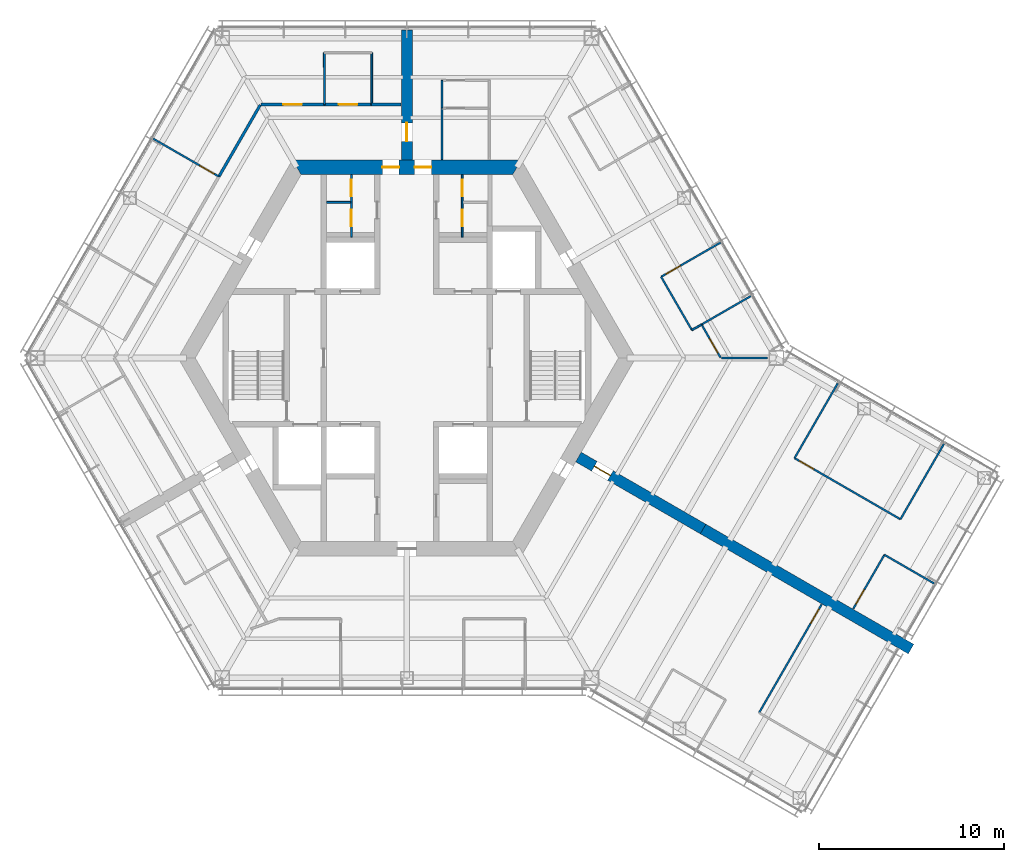
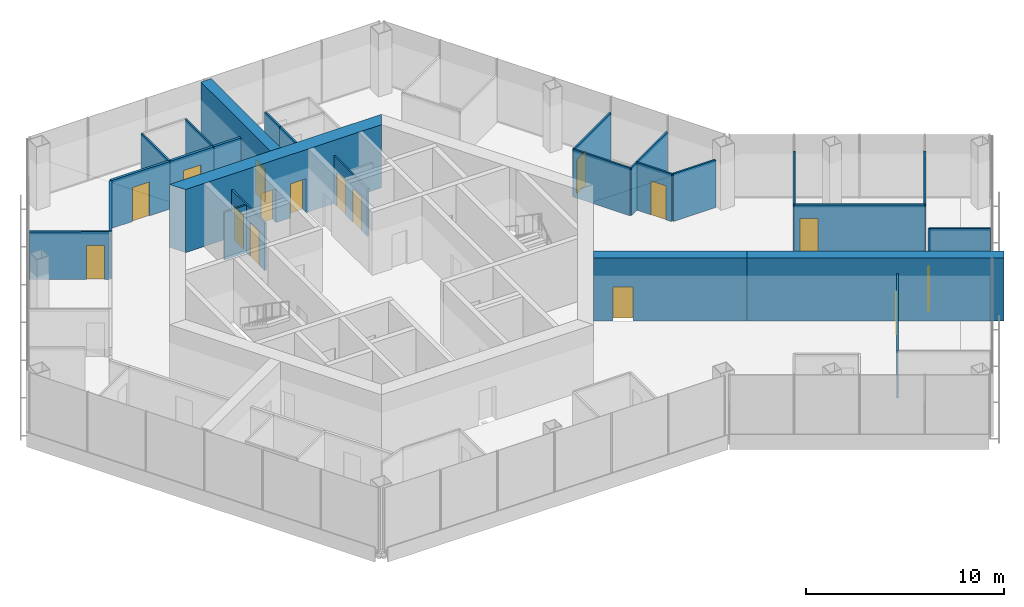
# One storey, part 12 of 16: 28 walls, 16 doors, 16 openings.
"""IFC4 building model written with IfcOpenShell, lengths in metres."""

import ifcopenshell
import ifcopenshell.guid

model = None  # the IFC model being written
_history = None  # IfcOwnerHistory: only IFC2X3 demands one
_inside = {}  # id of a spatial element -> (the spatial element, [elements in it])
_under = {}  # id of a project, library or spatial element -> (it, [spatial elements below it])
_declared = {}  # id of a project -> (the project, [libraries it declares])
_typed = {}  # id of a type object -> (the type object, [elements of that type])
_made_of = {}  # id of a material, layer set ... -> (it, [elements and type objects made of it])


def new_model(schema):
    """Start an empty IFC model of exactly this schema.

    Asked for "IFC4X3", IfcOpenShell would pick the latest addendum, in which some entities
    have other attributes; the version numbers below select the first issue.
    IFC2X3 requires an IfcOwnerHistory on every rooted entity: one is made here for all.
    """
    global model, _history
    if schema == "IFC4X3":
        model = ifcopenshell.file(schema_version=(4, 3, 0, 0))
    else:
        model = ifcopenshell.file(schema=schema)
    _inside.clear()
    _under.clear()
    _declared.clear()
    _typed.clear()
    _made_of.clear()
    _history = None
    if model.schema == "IFC2X3":
        org = make("IfcOrganization", Name="unknown")
        user = make(
            "IfcPersonAndOrganization",
            ThePerson=make("IfcPerson", FamilyName="unknown"),
            TheOrganization=org,
        )
        app = make(
            "IfcApplication",
            ApplicationDeveloper=org,
            Version="unknown",
            ApplicationFullName="unknown",
            ApplicationIdentifier="unknown",
        )
        _history = make(
            "IfcOwnerHistory",
            OwningUser=user,
            OwningApplication=app,
            ChangeAction="ADDED",
            CreationDate=0,
        )
    return model


def make(cls, **values):
    """One entity of the class cls with the attributes given. An attribute that is None is left unset."""
    return model.create_entity(
        cls, **{name: value for name, value in values.items() if value is not None}
    )


def rooted(cls, **values):
    """An entity with a GlobalId (a new one), such as an element, a storey or a relation."""
    return make(cls, GlobalId=ifcopenshell.guid.new(), OwnerHistory=_history, **values)


def si_unit(unit_type, name, prefix=None):
    """IfcSIUnit, for example si_unit("LENGTHUNIT", "METRE", prefix="MILLI")."""
    return make("IfcSIUnit", UnitType=unit_type, Prefix=prefix, Name=name)


def assignment(units):
    """IfcUnitAssignment: the units of a project."""
    return None if units is None else make("IfcUnitAssignment", Units=units)


def point(xyz):
    """IfcCartesianPoint."""
    return None if xyz is None else make("IfcCartesianPoint", Coordinates=xyz)


def direction(xyz):
    """IfcDirection."""
    return None if xyz is None else make("IfcDirection", DirectionRatios=xyz)


def frame(location, z_axis=None, x_axis=None):
    """IfcAxis2Placement3D, a coordinate frame: its origin and axes. An axis left out is left unset."""
    return make(
        "IfcAxis2Placement3D",
        Location=point(location),
        Axis=direction(z_axis),
        RefDirection=direction(x_axis),
    )


def frame_2d(location, x_axis=None):
    """IfcAxis2Placement2D, a coordinate frame in the plane: its origin and x axis."""
    return make(
        "IfcAxis2Placement2D", Location=point(location), RefDirection=direction(x_axis)
    )


def origin():
    """The frame at (0, 0, 0) with its axes left unset."""
    return frame((0.0, 0.0, 0.0))


def place(relative_to, where):
    """IfcLocalPlacement: puts the frame where relative to a parent placement (None: the world)."""
    return make(
        "IfcLocalPlacement", PlacementRelTo=relative_to, RelativePlacement=where
    )


def context(
    kind, dimensions, precision=None, world=None, true_north=None, identifier=None
):
    """IfcGeometricRepresentationContext, for example the 3D "Model" context."""
    return make(
        "IfcGeometricRepresentationContext",
        ContextIdentifier=identifier,
        ContextType=kind,
        CoordinateSpaceDimension=dimensions,
        Precision=precision,
        WorldCoordinateSystem=world,
        TrueNorth=true_north,
    )


def subcontext(parent, identifier, kind, view, scale=None):
    """IfcGeometricRepresentationSubContext, for example "Body" below "Model"."""
    return make(
        "IfcGeometricRepresentationSubContext",
        ContextIdentifier=identifier,
        ContextType=kind,
        ParentContext=parent,
        TargetScale=scale,
        TargetView=view,
    )


def project(units=None, contexts=None):
    """IfcProject with its units and contexts."""
    return rooted(
        "IfcProject",
        Name="project",
        RepresentationContexts=contexts,
        UnitsInContext=assignment(units),
    )


def spatial(cls, under=None, at=None, **own):
    """A site, building, storey or space (cls), placed at a placement, below another one or the project."""
    s = rooted(cls, ObjectPlacement=at, **own)
    if under is not None:
        _under.setdefault(under.id(), (under, []))[1].append(s)
    return s


def polyline(points):
    """IfcPolyline through the points."""
    return make("IfcPolyline", Points=[point(p) for p in points])


def profile(cls, at=None, kind="AREA", **sizes):
    """A parametric profile (cls). Its sizes go by their IFC names, for example OverallWidth=200.0."""
    return make(cls, ProfileType=kind, Position=at, **sizes)


def rectangle(**sizes):
    """IfcRectangleProfileDef."""
    return profile("IfcRectangleProfileDef", **sizes)


def outline(outer, holes=None, kind="AREA"):
    """IfcArbitraryClosedProfileDef: a profile drawn as a closed curve; with holes, ...WithVoids."""
    if holes is None:
        return make("IfcArbitraryClosedProfileDef", ProfileType=kind, OuterCurve=outer)
    return make(
        "IfcArbitraryProfileDefWithVoids",
        ProfileType=kind,
        OuterCurve=outer,
        InnerCurves=holes,
    )


def extrude(swept, where, along, depth):
    """IfcExtrudedAreaSolid: the profile swept, set in the frame where, extruded along a direction by depth."""
    return make(
        "IfcExtrudedAreaSolid",
        SweptArea=swept,
        Position=where,
        ExtrudedDirection=direction(along),
        Depth=depth,
    )


def shape(context_of_items, identifier, shape_type, items):
    """IfcShapeRepresentation: the items that make up one representation, for example the "Body"."""
    return make(
        "IfcShapeRepresentation",
        ContextOfItems=context_of_items,
        RepresentationIdentifier=identifier,
        RepresentationType=shape_type,
        Items=items,
    )


def material(Name=None, Category=None):
    """IfcMaterial."""
    return make("IfcMaterial", Name=Name, Category=Category)


def layer(
    of_material, thickness, ventilated=None, Name=None, Category=None, Priority=None
):
    """IfcMaterialLayer: one layer of a wall or slab, of a material (None: an air gap)."""
    return make(
        "IfcMaterialLayer",
        Material=of_material,
        LayerThickness=thickness,
        IsVentilated=ventilated,
        Name=Name,
        Category=Category,
        Priority=Priority,
    )


def layer_set(layers, Name=None):
    """IfcMaterialLayerSet."""
    return make("IfcMaterialLayerSet", MaterialLayers=layers, LayerSetName=Name)


def made_of(thing, what):
    """Note that an element or type object is made of a material, layer set ...; save() writes the relation."""
    if what is not None:
        _made_of.setdefault(what.id(), (what, []))[1].append(thing)
    return thing


def type_object(cls, material=None, **own):
    """A type object (cls), such as IfcWallType, which elements share."""
    return made_of(rooted(cls, **own), material)


def element(
    cls,
    number,
    at=None,
    inside=None,
    cuts=None,
    type_object=None,
    material=None,
    context=None,
    identifier="Body",
    shape_type=None,
    held_by="IfcProductDefinitionShape",
    body=None,
    shapes=None,
    **own,
):
    """One element of the class cls, such as IfcWall. Its Tag is "e" and its number.

    at: its placement. inside: the storey or other place that contains it. cuts: it is an
    opening in that element (IfcRelVoidsElement). A single representation is given by context,
    identifier, shape_type and body (its items); several are given by shapes. held_by: the class
    of the entity that holds the representations. save() writes the other relations.
    """
    e = rooted(cls, Tag="e%d" % number, ObjectPlacement=at, **own)
    if body is not None:
        shapes = [shape(context, identifier, shape_type, body)]
    if shapes is not None:
        e.Representation = make(held_by, Representations=shapes)
    if inside is not None:
        _inside.setdefault(inside.id(), (inside, []))[1].append(e)
    if cuts is not None:
        rooted(
            "IfcRelVoidsElement", RelatingBuildingElement=cuts, RelatedOpeningElement=e
        )
    if type_object is not None:
        _typed.setdefault(type_object.id(), (type_object, []))[1].append(e)
    return made_of(e, material)


def fill(opening, filler):
    """IfcRelFillsElement: the door or window that sits in an opening."""
    return rooted(
        "IfcRelFillsElement",
        RelatingOpeningElement=opening,
        RelatedBuildingElement=filler,
    )


def aggregate(whole, parts):
    """IfcRelAggregates: a whole, such as a stair, and the parts it consists of."""
    return rooted("IfcRelAggregates", RelatingObject=whole, RelatedObjects=parts)


def save(model, path):
    """Write the relations noted so far, then the file.

    IfcRelAggregates (storeys below a building ...), IfcRelContainedInSpatialStructure (elements
    in a storey), IfcRelDefinesByType, IfcRelAssociatesMaterial and IfcRelDeclares: one each for
    every whole, place, type object, material and project.
    """
    for whole, parts in _under.values():
        aggregate(whole, parts)
    for where, things in _inside.values():
        rooted(
            "IfcRelContainedInSpatialStructure",
            RelatedElements=things,
            RelatingStructure=where,
        )
    for kind, things in _typed.values():
        rooted("IfcRelDefinesByType", RelatedObjects=things, RelatingType=kind)
    for what, things in _made_of.values():
        rooted("IfcRelAssociatesMaterial", RelatedObjects=things, RelatingMaterial=what)
    for by, libraries in _declared.values():
        rooted("IfcRelDeclares", RelatingContext=by, RelatedDefinitions=libraries)
    model.write(path)


model = new_model("IFC4")

# Units and contexts
model_context = context("Model", 3, precision=1e-05, world=origin(), true_north=direction((0.0, 1.0)))
body_context = subcontext(model_context, "Body", "Model", "MODEL_VIEW")
ifc_project = project(units=[si_unit("LENGTHUNIT", "METRE"), si_unit("AREAUNIT", "SQUARE_METRE"), si_unit("VOLUMEUNIT", "CUBIC_METRE"), si_unit("PLANEANGLEUNIT", "RADIAN"), si_unit("MASSUNIT", "GRAM", prefix="KILO")], contexts=[model_context])

# Site, building, storey
site_placement = place(None, origin())
site = spatial("IfcSite", under=ifc_project, at=site_placement, CompositionType="ELEMENT")
building_placement = place(site_placement, origin())
building = spatial("IfcBuilding", under=site, at=building_placement, Name="Kasaneha Research Tower", CompositionType="ELEMENT")
storey_placement = place(building_placement, frame((0.0, 0.0, 247.89990234375)))
storey = spatial("IfcBuildingStorey", under=building, at=storey_placement, Name="L62", CompositionType="ELEMENT", Elevation=247.89990234375)

# Wall, openings, doors
ifc_material_1 = material(Name="Concrete Fc60", Category="concrete")
ifc_layer_1 = layer(ifc_material_1, 0.800048828125)
ifc_layer_set_1 = layer_set([ifc_layer_1], Name="Core wall 800 Fc60")
wall_type_1 = type_object("IfcWallType", Name="Core wall 800 Fc60", PredefinedType="SHEAR", material=ifc_layer_set_1)
wall_1_placement = place(storey_placement, frame((5.961181640625, 10.324951171875, 0.0), z_axis=(0.0, 0.0, 1.0), x_axis=(-1.0, 0.0, 0.0)))
wall_1 = element("IfcWall", 1, at=wall_1_placement, inside=storey, type_object=wall_type_1, Name="Core wall 090 L62", PredefinedType="SHEAR", context=body_context, shape_type="SweptSolid", body=[
    extrude(outline(polyline([(-0.23095703125, -0.39990234375), (4.63623046875, -0.39990234375), (5.5361328125, -0.39990234375), (6.38623046875, -0.39990234375), (7.2861328125, -0.39990234375), (12.1533203125, -0.39990234375), (11.69140625, 0.39990234375), (7.2861328125, 0.39990234375), (6.38623046875, 0.39990234375), (5.5361328125, 0.39990234375), (4.63623046875, 0.39990234375), (0.23095703125, 0.39990234375), (-0.23095703125, -0.39990234375)])), origin(), (0.0, 0.0, 1.0), 3.900146484375),
])
opening_1_placement = place(wall_1_placement, frame((6.38623046875, 0.0, 0.0)))
opening_1 = element("IfcOpeningElement", 2, at=opening_1_placement, cuts=wall_1, Name="Opening L62-D01", PredefinedType="OPENING", context=body_context, shape_type="SweptSolid", body=[
    extrude(rectangle(XDim=0.89990234375, YDim=2.10009765625, at=frame_2d((0.449951171875, 1.050048828125))), frame((0.0, 0.41015625, 0.0), z_axis=(0.0, -1.0, 0.0), x_axis=(1.0, 0.0, 0.0)), (0.0, 0.0, 1.0), 0.820068359375),
])
opening_2_placement = place(wall_1_placement, frame((4.63623046875, 0.0, 0.0)))
opening_2 = element("IfcOpeningElement", 3, at=opening_2_placement, cuts=wall_1, Name="Opening L62-D02", PredefinedType="OPENING", context=body_context, shape_type="SweptSolid", body=[
    extrude(rectangle(XDim=0.89990234375, YDim=2.10009765625, at=frame_2d((0.449951171875, 1.050048828125))), frame((0.0, 0.41015625, 0.0), z_axis=(0.0, -1.0, 0.0), x_axis=(1.0, 0.0, 0.0)), (0.0, 0.0, 1.0), 0.820068359375),
])
ifc_material_2 = material(Name="Steel", Category="steel")
door_type_1 = type_object("IfcDoorType", Name="Toilet door FD20 900x2100", OperationType="NOTDEFINED", PredefinedType="DOOR", material=ifc_material_2)
door_1_placement = place(opening_1_placement, origin())
door_1 = element("IfcDoor", 4, at=door_1_placement, inside=storey, type_object=door_type_1, Name="Core door north 1 L62-D01", OperationType="SINGLE_SWING_RIGHT", OverallHeight=2.10009765625, OverallWidth=0.89990234375, PredefinedType="DOOR", context=body_context, shape_type="SweptSolid", body=[
    extrude(rectangle(XDim=0.89990234375, YDim=2.10009765625, at=frame_2d((0.449951171875, 1.050048828125))), frame((0.0, 0.02490234375, 0.0), z_axis=(0.0, -1.0, 0.0), x_axis=(1.0, 0.0, 0.0)), (0.0, 0.0, 1.0), 0.050048828125),
])
fill(opening_1, door_1)
door_2_placement = place(opening_2_placement, origin())
door_2 = element("IfcDoor", 5, at=door_2_placement, inside=storey, type_object=door_type_1, Name="Core door north 2 L62-D02", OperationType="SINGLE_SWING_LEFT", OverallHeight=2.10009765625, OverallWidth=0.89990234375, PredefinedType="DOOR", context=body_context, shape_type="SweptSolid", body=[
    extrude(rectangle(XDim=0.89990234375, YDim=2.10009765625, at=frame_2d((0.449951171875, 1.050048828125))), frame((0.0, 0.02490234375, 0.0), z_axis=(0.0, -1.0, 0.0), x_axis=(1.0, 0.0, 0.0)), (0.0, 0.0, 1.0), 0.050048828125),
])
fill(opening_2, door_2)

ifc_material_3 = material(Name="Gypsum board on steel studs, one layer each side", Category="steel")
ifc_layer_2 = layer(ifc_material_3, 0.10009765625)
ifc_layer_set_2 = layer_set([ifc_layer_2], Name="Office partition 100")
wall_type_2 = type_object("IfcWallType", Name="Office partition 100", PredefinedType="PARTITIONING", material=ifc_layer_set_2)
wall_2_placement = place(storey_placement, frame((-3.0, 6.550048828125, 0.0), z_axis=(0.0, 0.0, 1.0), x_axis=(0.0, 1.0, 0.0)))
wall_2 = element("IfcWall", 6, at=wall_2_placement, inside=storey, type_object=wall_type_2, Name="Office partition TBM1 L62", PredefinedType="PARTITIONING", context=body_context, shape_type="SweptSolid", body=[
    extrude(rectangle(XDim=3.375, YDim=0.10009765625, at=frame_2d((1.6875, 0.0))), origin(), (0.0, 0.0, 1.0), 2.9501953125),
])
opening_3_placement = place(wall_2_placement, frame((0.58740234375, 0.0, 0.0)))
opening_3 = element("IfcOpeningElement", 7, at=opening_3_placement, cuts=wall_2, Name="Opening L62-D21", PredefinedType="OPENING", context=body_context, shape_type="SweptSolid", body=[
    extrude(rectangle(XDim=0.89990234375, YDim=2.10009765625, at=frame_2d((0.449951171875, 1.050048828125))), frame((0.0, 0.06005859375, 0.0), z_axis=(0.0, -1.0, 0.0), x_axis=(1.0, 0.0, 0.0)), (0.0, 0.0, 1.0), 0.1201171875),
])
opening_4_placement = place(wall_2_placement, frame((2.199951171875, 0.0, 0.0)))
opening_4 = element("IfcOpeningElement", 8, at=opening_4_placement, cuts=wall_2, Name="Opening L62-D22", PredefinedType="OPENING", context=body_context, shape_type="SweptSolid", body=[
    extrude(rectangle(XDim=0.89990234375, YDim=2.10009765625, at=frame_2d((0.449951171875, 1.050048828125))), frame((0.0, 0.06005859375, 0.0), z_axis=(0.0, -1.0, 0.0), x_axis=(1.0, 0.0, 0.0)), (0.0, 0.0, 1.0), 0.1201171875),
])
ifc_material_4 = material(Name="Steel", Category="steel")
door_type_2 = type_object("IfcDoorType", Name="Toilet lobby door FD30 900x2100", OperationType="NOTDEFINED", PredefinedType="DOOR", material=ifc_material_4)
door_3_placement = place(opening_3_placement, origin())
door_3 = element("IfcDoor", 9, at=door_3_placement, inside=storey, type_object=door_type_2, Name="Men's WC door L62-D21", OperationType="SINGLE_SWING_RIGHT", OverallHeight=2.10009765625, OverallWidth=0.89990234375, PredefinedType="DOOR", context=body_context, shape_type="SweptSolid", body=[
    extrude(rectangle(XDim=0.89990234375, YDim=2.10009765625, at=frame_2d((0.449951171875, 1.050048828125))), frame((0.0, 0.02490234375, 0.0), z_axis=(0.0, -1.0, 0.0), x_axis=(1.0, 0.0, 0.0)), (0.0, 0.0, 1.0), 0.050048828125),
])
fill(opening_3, door_3)
door_4_placement = place(opening_4_placement, origin())
door_4 = element("IfcDoor", 10, at=door_4_placement, inside=storey, type_object=door_type_2, Name="Parents' room door L62-D22", OperationType="SINGLE_SWING_RIGHT", OverallHeight=2.10009765625, OverallWidth=0.89990234375, PredefinedType="DOOR", context=body_context, shape_type="SweptSolid", body=[
    extrude(rectangle(XDim=0.89990234375, YDim=2.10009765625, at=frame_2d((0.449951171875, 1.050048828125))), frame((0.0, 0.02490234375, 0.0), z_axis=(0.0, -1.0, 0.0), x_axis=(1.0, 0.0, 0.0)), (0.0, 0.0, 1.0), 0.050048828125),
])
fill(opening_4, door_4)

# Wall
wall_3_placement = place(storey_placement, frame((-3.050048828125, 8.425048828125, 0.0), z_axis=(0.0, 0.0, 1.0), x_axis=(-1.0, 0.0, 0.0)))
element("IfcWall", 11, at=wall_3_placement, inside=storey, type_object=wall_type_2, Name="Office partition TBM2 L62", PredefinedType="PARTITIONING", context=body_context, shape_type="SweptSolid", body=[
    extrude(rectangle(XDim=1.300048828125, YDim=0.10009765625, at=frame_2d((0.64990234375, 0.0))), origin(), (0.0, 0.0, 1.0), 2.9501953125),
])

# Wall, openings, doors
wall_4_placement = place(storey_placement, frame((3.0, 6.550048828125, 0.0), z_axis=(0.0, 0.0, 1.0), x_axis=(0.0, 1.0, 0.0)))
wall_4 = element("IfcWall", 12, at=wall_4_placement, inside=storey, type_object=wall_type_2, Name="Office partition TBF1 L62", PredefinedType="PARTITIONING", context=body_context, shape_type="SweptSolid", body=[
    extrude(rectangle(XDim=3.375, YDim=0.10009765625, at=frame_2d((1.6875, 0.0))), origin(), (0.0, 0.0, 1.0), 2.9501953125),
])
opening_5_placement = place(wall_4_placement, frame((0.58740234375, 0.0, 0.0)))
opening_5 = element("IfcOpeningElement", 13, at=opening_5_placement, cuts=wall_4, Name="Opening L62-D23", PredefinedType="OPENING", context=body_context, shape_type="SweptSolid", body=[
    extrude(rectangle(XDim=0.89990234375, YDim=2.10009765625, at=frame_2d((0.449951171875, 1.050048828125))), frame((0.0, 0.06005859375, 0.0), z_axis=(0.0, -1.0, 0.0), x_axis=(1.0, 0.0, 0.0)), (0.0, 0.0, 1.0), 0.1201171875),
])
opening_6_placement = place(wall_4_placement, frame((2.199951171875, 0.0, 0.0)))
opening_6 = element("IfcOpeningElement", 14, at=opening_6_placement, cuts=wall_4, Name="Opening L62-D24", PredefinedType="OPENING", context=body_context, shape_type="SweptSolid", body=[
    extrude(rectangle(XDim=0.89990234375, YDim=2.10009765625, at=frame_2d((0.449951171875, 1.050048828125))), frame((0.0, 0.06005859375, 0.0), z_axis=(0.0, -1.0, 0.0), x_axis=(1.0, 0.0, 0.0)), (0.0, 0.0, 1.0), 0.1201171875),
])
door_5_placement = place(opening_5_placement, origin())
door_5 = element("IfcDoor", 15, at=door_5_placement, inside=storey, type_object=door_type_2, Name="Women's WC door L62-D23", OperationType="SINGLE_SWING_RIGHT", OverallHeight=2.10009765625, OverallWidth=0.89990234375, PredefinedType="DOOR", context=body_context, shape_type="SweptSolid", body=[
    extrude(rectangle(XDim=0.89990234375, YDim=2.10009765625, at=frame_2d((0.449951171875, 1.050048828125))), frame((0.0, 0.02490234375, 0.0), z_axis=(0.0, -1.0, 0.0), x_axis=(1.0, 0.0, 0.0)), (0.0, 0.0, 1.0), 0.050048828125),
])
fill(opening_5, door_5)
door_6_placement = place(opening_6_placement, origin())
door_6 = element("IfcDoor", 16, at=door_6_placement, inside=storey, type_object=door_type_2, Name="Cleaner's store door L62-D24", OperationType="SINGLE_SWING_RIGHT", OverallHeight=2.10009765625, OverallWidth=0.89990234375, PredefinedType="DOOR", context=body_context, shape_type="SweptSolid", body=[
    extrude(rectangle(XDim=0.89990234375, YDim=2.10009765625, at=frame_2d((0.449951171875, 1.050048828125))), frame((0.0, 0.02490234375, 0.0), z_axis=(0.0, -1.0, 0.0), x_axis=(1.0, 0.0, 0.0)), (0.0, 0.0, 1.0), 0.050048828125),
])
fill(opening_6, door_6)

# Walls
wall_5_placement = place(storey_placement, frame((1.89990234375, 10.7451171875, 0.0), z_axis=(0.0, 0.0, 1.0), x_axis=(0.001668713644, 0.999998607696, 0.0)))
element("IfcWall", 17, at=wall_5_placement, inside=storey, type_object=wall_type_2, Name="Office partition FAE02 L62", PredefinedType="PARTITIONING", context=body_context, shape_type="SweptSolid", body=[
    extrude(rectangle(XDim=2.77978515625, YDim=0.10009765625, at=frame_2d((1.389892578125, 0.0))), origin(), (0.0, 0.0, 1.0), 2.9501953125),
])
wall_6_placement = place(storey_placement, frame((1.904541015625, 13.52490234375, 0.0), z_axis=(0.0, 0.0, 1.0), x_axis=(-0.00309243313, 0.999995218417, 0.0)))
element("IfcWall", 18, at=wall_6_placement, inside=storey, type_object=wall_type_2, Name="Office partition FAE05 L62", PredefinedType="PARTITIONING", context=body_context, shape_type="SweptSolid", body=[
    extrude(rectangle(XDim=1.5, YDim=0.10009765625, at=frame_2d((0.75, 0.0))), origin(), (0.0, 0.0, 1.0), 2.9501953125),
])
wall_7_placement = place(storey_placement, frame((18.619873046875, 3.3505859375, 0.0), z_axis=(0.0, 0.0, 1.0), x_axis=(-0.866043267704, -0.499969057507, 0.0)))
element("IfcWall", 19, at=wall_7_placement, inside=storey, type_object=wall_type_2, Name="Office partition FAE07 L62", PredefinedType="PARTITIONING", context=body_context, shape_type="SweptSolid", body=[
    extrude(rectangle(XDim=3.085205078125, YDim=0.10009765625, at=frame_2d((1.54248046875, 0.0))), origin(), (0.0, 0.0, 1.0), 2.9501953125),
])

# Wall, opening, door
wall_8_placement = place(storey_placement, frame((13.767333984375, 4.395263671875, 0.0), z_axis=(0.0, 0.0, 1.0), x_axis=(0.8660398467, 0.499974983301, 0.0)))
wall_8 = element("IfcWall", 20, at=wall_8_placement, inside=storey, type_object=wall_type_2, Name="Office partition FAE08 L62", PredefinedType="PARTITIONING", context=body_context, shape_type="SweptSolid", body=[
    extrude(rectangle(XDim=3.710205078125, YDim=0.10009765625, at=frame_2d((1.85498046875, 0.0))), origin(), (0.0, 0.0, 1.0), 2.9501953125),
])
opening_7_placement = place(wall_8_placement, frame((0.300048828125, 0.0, 0.0)))
opening_7 = element("IfcOpeningElement", 21, at=opening_7_placement, cuts=wall_8, Name="Opening L62-D27", PredefinedType="OPENING", context=body_context, shape_type="SweptSolid", body=[
    extrude(rectangle(XDim=0.89990234375, YDim=2.10009765625, at=frame_2d((0.449951171875, 1.050048828125))), frame((0.0, 0.06005859375, 0.0), z_axis=(0.0, -1.0, 0.0), x_axis=(1.0, 0.0, 0.0)), (0.0, 0.0, 1.0), 0.1201171875),
])
ifc_material_5 = material(Name="Timber veneer", Category="wood")
door_type_3 = type_object("IfcDoorType", Name="Office door 900x2100", OperationType="SINGLE_SWING_LEFT", PredefinedType="DOOR", material=ifc_material_5)
door_7_placement = place(opening_7_placement, origin())
door_7 = element("IfcDoor", 22, at=door_7_placement, inside=storey, type_object=door_type_3, Name="Executive office door L62-D27", OperationType="SINGLE_SWING_LEFT", OverallHeight=2.10009765625, OverallWidth=0.89990234375, PredefinedType="DOOR", context=body_context, shape_type="SweptSolid", body=[
    extrude(rectangle(XDim=0.89990234375, YDim=2.10009765625, at=frame_2d((0.449951171875, 1.050048828125))), frame((0.0, 0.02490234375, 0.0), z_axis=(0.0, -1.0, 0.0), x_axis=(1.0, 0.0, 0.0)), (0.0, 0.0, 1.0), 0.050048828125),
])
fill(opening_7, door_7)

# Walls
wall_9_placement = place(storey_placement, frame((15.432861328125, 1.510498046875, 0.0), z_axis=(0.0, 0.0, 1.0), x_axis=(-0.500001606164, 0.866024476463, 0.0)))
element("IfcWall", 23, at=wall_9_placement, inside=storey, type_object=wall_type_2, Name="Office partition FAE09 L62", PredefinedType="PARTITIONING", context=body_context, shape_type="SweptSolid", body=[
    extrude(rectangle(XDim=3.3310546875, YDim=0.10009765625, at=frame_2d((1.66552734375, 0.0))), origin(), (0.0, 0.0, 1.0), 2.9501953125),
])
wall_10_placement = place(storey_placement, frame((15.956298828125, 1.812744140625, 0.0), z_axis=(0.0, 0.0, 1.0), x_axis=(-0.865997239347, -0.500048779063, 0.0)))
element("IfcWall", 24, at=wall_10_placement, inside=storey, type_object=wall_type_2, Name="Office partition FAE10 L62", PredefinedType="PARTITIONING", context=body_context, shape_type="SweptSolid", body=[
    extrude(rectangle(XDim=0.6044921875, YDim=0.10009765625, at=frame_2d((0.30224609375, 0.0))), origin(), (0.0, 0.0, 1.0), 2.9501953125),
])

# Wall, opening, door
wall_11_placement = place(storey_placement, frame((16.986083984375, 0.02001953125, 0.0), z_axis=(0.0, 0.0, 1.0), x_axis=(-0.498096123952, 0.867121820337, 0.0)))
wall_11 = element("IfcWall", 25, at=wall_11_placement, inside=storey, type_object=wall_type_2, Name="Office partition FAE14 L62", PredefinedType="PARTITIONING", context=body_context, shape_type="SweptSolid", body=[
    extrude(rectangle(XDim=2.0673828125, YDim=0.10009765625, at=frame_2d((1.03369140625, 0.0))), origin(), (0.0, 0.0, 1.0), 2.9501953125),
])
opening_8_placement = place(wall_11_placement, frame((0.300048828125, 0.0, 0.0)))
opening_8 = element("IfcOpeningElement", 26, at=opening_8_placement, cuts=wall_11, Name="Opening L62-D29", PredefinedType="OPENING", context=body_context, shape_type="SweptSolid", body=[
    extrude(rectangle(XDim=0.89990234375, YDim=2.10009765625, at=frame_2d((0.449951171875, 1.050048828125))), frame((0.0, 0.06005859375, 0.0), z_axis=(0.0, -1.0, 0.0), x_axis=(1.0, 0.0, 0.0)), (0.0, 0.0, 1.0), 0.1201171875),
])
door_8_placement = place(opening_8_placement, origin())
door_8 = element("IfcDoor", 27, at=door_8_placement, inside=storey, type_object=door_type_3, Name="Workroom door L62-D29", OperationType="SINGLE_SWING_LEFT", OverallHeight=2.10009765625, OverallWidth=0.89990234375, PredefinedType="DOOR", context=body_context, shape_type="SweptSolid", body=[
    extrude(rectangle(XDim=0.89990234375, YDim=2.10009765625, at=frame_2d((0.449951171875, 1.050048828125))), frame((0.0, 0.02490234375, 0.0), z_axis=(0.0, -1.0, 0.0), x_axis=(1.0, 0.0, 0.0)), (0.0, 0.0, 1.0), 0.050048828125),
])
fill(opening_8, door_8)

# Walls
for number, where, z_axis, x_axis, name in (
    (28, (-4.46044921875, 13.72509765625, 0.0), (0.0, 0.0, 1.0), (-0.001656781821, 0.999998627536, 0.0), "Office partition FAW05 L62"),
    (29, (-1.89990234375, 16.52490234375, 0.0), (0.0, 0.0, 1.0), (-0.001656781821, -0.999998627536, 0.0), "Office partition FAW06 L62"),
):
    element("IfcWall", number, at=place(storey_placement, frame(where, z_axis=z_axis, x_axis=x_axis)), inside=storey, type_object=wall_type_2, Name=name, PredefinedType="PARTITIONING", context=body_context, shape_type="SweptSolid", body=[
        extrude(rectangle(XDim=2.7998046875, YDim=0.10009765625, at=frame_2d((1.39990234375, 0.0))), origin(), (0.0, 0.0, 1.0), 2.9501953125),
    ])

# Wall, opening, door
wall_12_placement = place(storey_placement, frame((-10.17626953125, 9.82421875, 0.0), z_axis=(0.0, 0.0, 1.0), x_axis=(-0.866569463841, 0.499056474098, 0.0)))
wall_12 = element("IfcWall", 30, at=wall_12_placement, inside=storey, type_object=wall_type_2, Name="Office partition FBN07 L62", PredefinedType="PARTITIONING", context=body_context, shape_type="SweptSolid", body=[
    extrude(rectangle(XDim=4.10546875, YDim=0.10009765625, at=frame_2d((2.052734375, 0.0))), origin(), (0.0, 0.0, 1.0), 2.9501953125),
])
opening_9_placement = place(wall_12_placement, frame((0.300048828125, 0.0, 0.0)))
opening_9 = element("IfcOpeningElement", 31, at=opening_9_placement, cuts=wall_12, Name="Opening L62-D34", PredefinedType="OPENING", context=body_context, shape_type="SweptSolid", body=[
    extrude(rectangle(XDim=0.89990234375, YDim=2.10009765625, at=frame_2d((0.449951171875, 1.050048828125))), frame((0.0, 0.06005859375, 0.0), z_axis=(0.0, -1.0, 0.0), x_axis=(1.0, 0.0, 0.0)), (0.0, 0.0, 1.0), 0.1201171875),
])
door_9_placement = place(opening_9_placement, origin())
door_9 = element("IfcDoor", 32, at=door_9_placement, inside=storey, type_object=door_type_3, Name="Executive office door L62-D34", OperationType="SINGLE_SWING_LEFT", OverallHeight=2.10009765625, OverallWidth=0.89990234375, PredefinedType="DOOR", context=body_context, shape_type="SweptSolid", body=[
    extrude(rectangle(XDim=0.89990234375, YDim=2.10009765625, at=frame_2d((0.449951171875, 1.050048828125))), frame((0.0, 0.02490234375, 0.0), z_axis=(0.0, -1.0, 0.0), x_axis=(1.0, 0.0, 0.0)), (0.0, 0.0, 1.0), 0.050048828125),
])
fill(opening_9, door_9)

# Wall
wall_13_placement = place(storey_placement, frame((20.9921875, -5.422607421875, 0.0), z_axis=(0.0, 0.0, 1.0), x_axis=(0.500015969955, 0.86601618333, 0.0)))
element("IfcWall", 33, at=wall_13_placement, inside=storey, type_object=wall_type_2, Name="Office partition FCE01 L62", PredefinedType="PARTITIONING", context=body_context, shape_type="SweptSolid", body=[
    extrude(rectangle(XDim=4.679931640625, YDim=0.10009765625, at=frame_2d((2.33984375, 0.0))), origin(), (0.0, 0.0, 1.0), 2.9501953125),
])

# Wall, opening, door
wall_14_placement = place(storey_placement, frame((26.72509765625, -8.732421875, 0.0), z_axis=(0.0, 0.0, 1.0), x_axis=(-0.866030817826, 0.499990622488, 0.0)))
wall_14 = element("IfcWall", 34, at=wall_14_placement, inside=storey, type_object=wall_type_2, Name="Office partition FCE02 L62", PredefinedType="PARTITIONING", context=body_context, shape_type="SweptSolid", body=[
    extrude(rectangle(XDim=6.619873046875, YDim=0.10009765625, at=frame_2d((3.31005859375, 0.0))), origin(), (0.0, 0.0, 1.0), 2.9501953125),
])
opening_10_placement = place(wall_14_placement, frame((5.419677734375, 0.0, 0.0)))
opening_10 = element("IfcOpeningElement", 35, at=opening_10_placement, cuts=wall_14, Name="Opening L62-D39", PredefinedType="OPENING", context=body_context, shape_type="SweptSolid", body=[
    extrude(rectangle(XDim=0.89990234375, YDim=2.10009765625, at=frame_2d((0.449951171875, 1.050048828125))), frame((0.0, 0.06005859375, 0.0), z_axis=(0.0, -1.0, 0.0), x_axis=(1.0, 0.0, 0.0)), (0.0, 0.0, 1.0), 0.1201171875),
])
door_10_placement = place(opening_10_placement, origin())
door_10 = element("IfcDoor", 36, at=door_10_placement, inside=storey, type_object=door_type_3, Name="Executive office door L62-D39", OperationType="SINGLE_SWING_RIGHT", OverallHeight=2.10009765625, OverallWidth=0.89990234375, PredefinedType="DOOR", context=body_context, shape_type="SweptSolid", body=[
    extrude(rectangle(XDim=0.89990234375, YDim=2.10009765625, at=frame_2d((0.449951171875, 1.050048828125))), frame((0.0, 0.02490234375, 0.0), z_axis=(0.0, -1.0, 0.0), x_axis=(1.0, 0.0, 0.0)), (0.0, 0.0, 1.0), 0.050048828125),
])
fill(opening_10, door_10)

# Wall
wall_15_placement = place(storey_placement, frame((29.080078125, -4.6533203125, 0.0), z_axis=(0.0, 0.0, 1.0), x_axis=(-0.499985682323, -0.866033669941, 0.0)))
element("IfcWall", 37, at=wall_15_placement, inside=storey, type_object=wall_type_2, Name="Office partition FCE03 L62", PredefinedType="PARTITIONING", context=body_context, shape_type="SweptSolid", body=[
    extrude(rectangle(XDim=4.710205078125, YDim=0.10009765625, at=frame_2d((2.35498046875, 0.0))), origin(), (0.0, 0.0, 1.0), 2.9501953125),
])

# Wall, opening, door
wall_16_placement = place(storey_placement, frame((24.166748046875, -13.5830078125, 0.0), z_axis=(0.0, 0.0, 1.0), x_axis=(0.500007997579, 0.866020786331, 0.0)))
wall_16 = element("IfcWall", 38, at=wall_16_placement, inside=storey, type_object=wall_type_2, Name="Office partition FCE04 L62", PredefinedType="PARTITIONING", context=body_context, shape_type="SweptSolid", body=[
    extrude(rectangle(XDim=3.3798828125, YDim=0.10009765625, at=frame_2d((1.68994140625, 0.0))), origin(), (0.0, 0.0, 1.0), 2.9501953125),
])
opening_11_placement = place(wall_16_placement, frame((0.300048828125, 0.0, 0.0)))
opening_11 = element("IfcOpeningElement", 39, at=opening_11_placement, cuts=wall_16, Name="Opening L62-D40", PredefinedType="OPENING", context=body_context, shape_type="SweptSolid", body=[
    extrude(rectangle(XDim=0.89990234375, YDim=2.10009765625, at=frame_2d((0.449951171875, 1.050048828125))), frame((0.0, 0.06005859375, 0.0), z_axis=(0.0, -1.0, 0.0), x_axis=(1.0, 0.0, 0.0)), (0.0, 0.0, 1.0), 0.1201171875),
])
door_11_placement = place(opening_11_placement, origin())
door_11 = element("IfcDoor", 40, at=door_11_placement, inside=storey, type_object=door_type_3, Name="Workroom door L62-D40", OperationType="SINGLE_SWING_LEFT", OverallHeight=2.10009765625, OverallWidth=0.89990234375, PredefinedType="DOOR", context=body_context, shape_type="SweptSolid", body=[
    extrude(rectangle(XDim=0.89990234375, YDim=2.10009765625, at=frame_2d((0.449951171875, 1.050048828125))), frame((0.0, 0.02490234375, 0.0), z_axis=(0.0, -1.0, 0.0), x_axis=(1.0, 0.0, 0.0)), (0.0, 0.0, 1.0), 0.050048828125),
])
fill(opening_11, door_11)

# Wall
wall_17_placement = place(storey_placement, frame((25.856689453125, -10.656005859375, 0.0), z_axis=(0.0, 0.0, 1.0), x_axis=(0.866036558865, -0.499980678337, 0.0)))
element("IfcWall", 41, at=wall_17_placement, inside=storey, type_object=wall_type_2, Name="Office partition FCE05 L62", PredefinedType="PARTITIONING", context=body_context, shape_type="SweptSolid", body=[
    extrude(rectangle(XDim=3.10986328125, YDim=0.10009765625, at=frame_2d((1.554931640625, 0.0))), origin(), (0.0, 0.0, 1.0), 2.9501953125),
])

# Wall, opening, door
wall_18_placement = place(storey_placement, frame((19.071044921875, -19.208984375, 0.0), z_axis=(0.0, 0.0, 1.0), x_axis=(0.499992600721, 0.866029675718, 0.0)))
wall_18 = element("IfcWall", 42, at=wall_18_placement, inside=storey, type_object=wall_type_2, Name="Office partition FCS07 L62", PredefinedType="PARTITIONING", context=body_context, shape_type="SweptSolid", body=[
    extrude(rectangle(XDim=6.77978515625, YDim=0.10009765625, at=frame_2d((3.389892578125, 0.0))), origin(), (0.0, 0.0, 1.0), 2.9501953125),
])
opening_12_placement = place(wall_18_placement, frame((5.580078125, 0.0, 0.0)))
opening_12 = element("IfcOpeningElement", 43, at=opening_12_placement, cuts=wall_18, Name="Opening L62-D43", PredefinedType="OPENING", context=body_context, shape_type="SweptSolid", body=[
    extrude(rectangle(XDim=0.89990234375, YDim=2.10009765625, at=frame_2d((0.449951171875, 1.050048828125))), frame((0.0, 0.06005859375, 0.0), z_axis=(0.0, -1.0, 0.0), x_axis=(1.0, 0.0, 0.0)), (0.0, 0.0, 1.0), 0.1201171875),
])
door_12_placement = place(opening_12_placement, origin())
door_12 = element("IfcDoor", 44, at=door_12_placement, inside=storey, type_object=door_type_3, Name="Board meeting room door L62-D43", OperationType="SINGLE_SWING_RIGHT", OverallHeight=2.10009765625, OverallWidth=0.89990234375, PredefinedType="DOOR", context=body_context, shape_type="SweptSolid", body=[
    extrude(rectangle(XDim=0.89990234375, YDim=2.10009765625, at=frame_2d((0.449951171875, 1.050048828125))), frame((0.0, 0.02490234375, 0.0), z_axis=(0.0, -1.0, 0.0), x_axis=(1.0, 0.0, 0.0)), (0.0, 0.0, 1.0), 0.050048828125),
])
fill(opening_12, door_12)

# Wall
wall_19_placement = place(storey_placement, frame((19.5185546875, 0.0, 0.0), z_axis=(0.0, 0.0, 1.0), x_axis=(-1.0, 0.0, 0.0)))
element("IfcWall", 45, at=wall_19_placement, inside=storey, type_object=wall_type_2, Name="Office partition closer PT5 L62", PredefinedType="PARTITIONING", context=body_context, shape_type="SweptSolid", body=[
    extrude(rectangle(XDim=2.477783203125, YDim=0.10009765625, at=frame_2d((1.23876953125, 0.0))), origin(), (0.0, 0.0, 1.0), 2.9501953125),
])

# Wall, opening, door
ifc_material_6 = material(Name="Concrete Fc60", Category="concrete")
ifc_layer_3 = layer(ifc_material_6, 0.60009765625)
ifc_layer_set_3 = layer_set([ifc_layer_3], Name="Spine wall 600 Fc60")
wall_type_3 = type_object("IfcWallType", Name="Spine wall 600 Fc60", PredefinedType="SHEAR", material=ifc_layer_set_3)
wall_20_placement = place(storey_placement, frame((0.0, 10.72509765625, 0.0), z_axis=(0.0, 0.0, 1.0), x_axis=(0.0, 1.0, 0.0)))
wall_20 = element("IfcWall", 46, at=wall_20_placement, inside=storey, type_object=wall_type_3, Name="Spine wall A L62", PredefinedType="SHEAR", context=body_context, shape_type="SweptSolid", body=[
    extrude(rectangle(XDim=7.04541015625, YDim=0.60009765625, at=frame_2d((3.522705078125, 0.0))), origin(), (0.0, 0.0, 1.0), 3.900146484375),
])
opening_13_placement = place(wall_20_placement, frame((1.0, 0.0, 0.0)))
opening_13 = element("IfcOpeningElement", 47, at=opening_13_placement, cuts=wall_20, Name="Opening L62-D18", PredefinedType="OPENING", context=body_context, shape_type="SweptSolid", body=[
    extrude(rectangle(XDim=1.0, YDim=2.10009765625, at=frame_2d((0.5, 1.050048828125))), frame((0.0, 0.31005859375, 0.0), z_axis=(0.0, -1.0, 0.0), x_axis=(1.0, 0.0, 0.0)), (0.0, 0.0, 1.0), 0.6201171875),
])
ifc_material_7 = material(Name="Steel", Category="steel")
door_type_4 = type_object("IfcDoorType", Name="Specified fire door FD60 1000x2100", OperationType="NOTDEFINED", PredefinedType="DOOR", material=ifc_material_7)
door_13_placement = place(opening_13_placement, origin())
door_13 = element("IfcDoor", 48, at=door_13_placement, inside=storey, type_object=door_type_4, Name="Spine doorway A L62-D18", OperationType="SINGLE_SWING_LEFT", OverallHeight=2.10009765625, OverallWidth=1.0, PredefinedType="DOOR", context=body_context, shape_type="SweptSolid", body=[
    extrude(rectangle(XDim=1.0, YDim=2.10009765625, at=frame_2d((0.5, 1.050048828125))), frame((0.0, 0.02490234375, 0.0), z_axis=(0.0, -1.0, 0.0), x_axis=(1.0, 0.0, 0.0)), (0.0, 0.0, 1.0), 0.050048828125),
])
fill(opening_13, door_13)

wall_21_placement = place(storey_placement, frame((9.2880859375, -5.362548828125, 0.0), z_axis=(0.0, 0.0, 1.0), x_axis=(0.866031736626, -0.499989031036, 0.0)))
wall_21 = element("IfcWall", 49, at=wall_21_placement, inside=storey, type_object=wall_type_3, Name="Spine wall C L62", PredefinedType="SHEAR", context=body_context, shape_type="SweptSolid", body=[
    extrude(rectangle(XDim=7.795654296875, YDim=0.60009765625, at=frame_2d((3.89794921875, 0.0))), origin(), (0.0, 0.0, 1.0), 3.900146484375),
])
opening_14_placement = place(wall_21_placement, frame((1.0, 0.0, 0.0)))
opening_14 = element("IfcOpeningElement", 50, at=opening_14_placement, cuts=wall_21, Name="Opening L62-D20", PredefinedType="OPENING", context=body_context, shape_type="SweptSolid", body=[
    extrude(rectangle(XDim=1.0, YDim=2.10009765625, at=frame_2d((0.5, 1.050048828125))), frame((0.0, 0.31005859375, 0.0), z_axis=(0.0, -1.0, 0.0), x_axis=(1.0, 0.0, 0.0)), (0.0, 0.0, 1.0), 0.6201171875),
])
door_14_placement = place(opening_14_placement, origin())
door_14 = element("IfcDoor", 51, at=door_14_placement, inside=storey, type_object=door_type_4, Name="Spine doorway C L62-D20", OperationType="SINGLE_SWING_LEFT", OverallHeight=2.10009765625, OverallWidth=1.0, PredefinedType="DOOR", context=body_context, shape_type="SweptSolid", body=[
    extrude(rectangle(XDim=1.0, YDim=2.10009765625, at=frame_2d((0.5, 1.050048828125))), frame((0.0, 0.02490234375, 0.0), z_axis=(0.0, -1.0, 0.0), x_axis=(1.0, 0.0, 0.0)), (0.0, 0.0, 1.0), 0.050048828125),
])
fill(opening_14, door_14)

# Wall
wall_22_placement = place(storey_placement, frame((16.039306640625, -9.26025390625, 0.0), z_axis=(0.0, 0.0, 1.0), x_axis=(0.866024837091, -0.50000098154, 0.0)))
element("IfcWall", 52, at=wall_22_placement, inside=storey, type_object=wall_type_3, Name="Spine wall C wing L62", PredefinedType="SHEAR", context=body_context, shape_type="SweptSolid", body=[
    extrude(rectangle(XDim=13.0, YDim=0.60009765625, at=frame_2d((6.5, 0.0))), origin(), (0.0, 0.0, 1.0), 3.900146484375),
])

# Wall, opening, door
ifc_material_8 = material(Name="Gypsum board on steel studs, two layers each side", Category="steel")
ifc_layer_4 = layer(ifc_material_8, 0.14990234375)
ifc_layer_set_4 = layer_set([ifc_layer_4], Name="Suite partition 150")
wall_type_4 = type_object("IfcWallType", Name="Suite partition 150", PredefinedType="PARTITIONING", material=ifc_layer_set_4)
wall_23_placement = place(storey_placement, frame((-4.469970703125, 13.72509765625, 0.0), z_axis=(0.0, 0.0, 1.0), x_axis=(1.0, 0.0, 0.0)))
wall_23 = element("IfcWall", 53, at=wall_23_placement, inside=storey, type_object=wall_type_4, Name="Suite partition FAW01 L62", PredefinedType="PARTITIONING", context=body_context, shape_type="SweptSolid", body=[
    extrude(rectangle(XDim=2.574951171875, YDim=0.14990234375, at=frame_2d((1.28759765625, 0.0))), origin(), (0.0, 0.0, 1.0), 2.9501953125),
])
opening_15_placement = place(wall_23_placement, frame((0.78759765625, 0.0, 0.0)))
opening_15 = element("IfcOpeningElement", 54, at=opening_15_placement, cuts=wall_23, Name="Opening L62-D30", PredefinedType="OPENING", context=body_context, shape_type="SweptSolid", body=[
    extrude(rectangle(XDim=1.0, YDim=2.10009765625, at=frame_2d((0.5, 1.050048828125))), frame((0.0, 0.0849609375, 0.0), z_axis=(0.0, -1.0, 0.0), x_axis=(1.0, 0.0, 0.0)), (0.0, 0.0, 1.0), 0.169921875),
])
ifc_material_9 = material(Name="Steel", Category="steel")
door_type_5 = type_object("IfcDoorType", Name="Suite entrance door FD60 1000x2100", OperationType="NOTDEFINED", PredefinedType="DOOR", material=ifc_material_9)
door_15_placement = place(opening_15_placement, origin())
door_15 = element("IfcDoor", 55, at=door_15_placement, inside=storey, type_object=door_type_5, Name="Suite entrance door L62-D30", OperationType="SINGLE_SWING_RIGHT", OverallHeight=2.10009765625, OverallWidth=1.0, PredefinedType="DOOR", context=body_context, shape_type="SweptSolid", body=[
    extrude(rectangle(XDim=1.0, YDim=2.10009765625, at=frame_2d((0.5, 1.050048828125))), frame((0.0, 0.02490234375, 0.0), z_axis=(0.0, -1.0, 0.0), x_axis=(1.0, 0.0, 0.0)), (0.0, 0.0, 1.0), 0.050048828125),
])
fill(opening_15, door_15)

wall_24_placement = place(storey_placement, frame((-7.90087890625, 13.72509765625, 0.0), z_axis=(0.0, 0.0, 1.0), x_axis=(1.0, 0.0, 0.0)))
wall_24 = element("IfcWall", 56, at=wall_24_placement, inside=storey, type_object=wall_type_4, Name="Suite partition FAW02 L62", PredefinedType="PARTITIONING", context=body_context, shape_type="SweptSolid", body=[
    extrude(rectangle(XDim=3.4404296875, YDim=0.14990234375, at=frame_2d((1.72021484375, 0.0))), origin(), (0.0, 0.0, 1.0), 2.9501953125),
])
opening_16_placement = place(wall_24_placement, frame((1.22021484375, 0.0, 0.0)))
opening_16 = element("IfcOpeningElement", 57, at=opening_16_placement, cuts=wall_24, Name="Opening L62-D31", PredefinedType="OPENING", context=body_context, shape_type="SweptSolid", body=[
    extrude(rectangle(XDim=1.0, YDim=2.10009765625, at=frame_2d((0.5, 1.050048828125))), frame((0.0, 0.0849609375, 0.0), z_axis=(0.0, -1.0, 0.0), x_axis=(1.0, 0.0, 0.0)), (0.0, 0.0, 1.0), 0.169921875),
])
door_16_placement = place(opening_16_placement, origin())
door_16 = element("IfcDoor", 58, at=door_16_placement, inside=storey, type_object=door_type_5, Name="Suite entrance door L62-D31", OperationType="SINGLE_SWING_RIGHT", OverallHeight=2.10009765625, OverallWidth=1.0, PredefinedType="DOOR", context=body_context, shape_type="SweptSolid", body=[
    extrude(rectangle(XDim=1.0, YDim=2.10009765625, at=frame_2d((0.5, 1.050048828125))), frame((0.0, 0.02490234375, 0.0), z_axis=(0.0, -1.0, 0.0), x_axis=(1.0, 0.0, 0.0)), (0.0, 0.0, 1.0), 0.050048828125),
])
fill(opening_16, door_16)

# Walls
wall_25_placement = place(storey_placement, frame((-1.904541015625, 13.72509765625, 0.0), z_axis=(0.0, 0.0, 1.0), x_axis=(1.0, 0.0, 0.0)))
element("IfcWall", 59, at=wall_25_placement, inside=storey, type_object=wall_type_4, Name="Suite partition FAW03 L62", PredefinedType="PARTITIONING", context=body_context, shape_type="SweptSolid", body=[
    extrude(rectangle(XDim=1.58447265625, YDim=0.14990234375, at=frame_2d((0.792236328125, 0.0))), origin(), (0.0, 0.0, 1.0), 2.9501953125),
])
wall_26_placement = place(storey_placement, frame((-10.180908203125, 9.816162109375, 0.0), z_axis=(0.0, 0.0, 1.0), x_axis=(0.499975026679, 0.866039821658, 0.0)))
element("IfcWall", 60, at=wall_26_placement, inside=storey, type_object=wall_type_4, Name="Suite partition FBN01 L62", PredefinedType="PARTITIONING", context=body_context, shape_type="SweptSolid", body=[
    extrude(rectangle(XDim=4.490478515625, YDim=0.14990234375, at=frame_2d((2.2451171875, 0.0))), origin(), (0.0, 0.0, 1.0), 2.9501953125),
])

save(model, "model.ifc")
